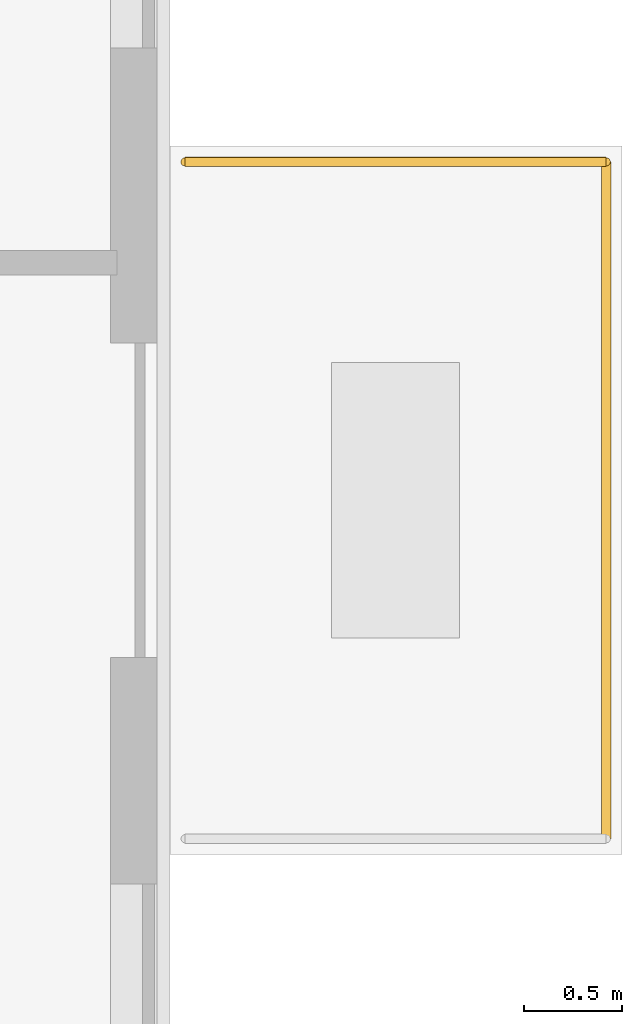
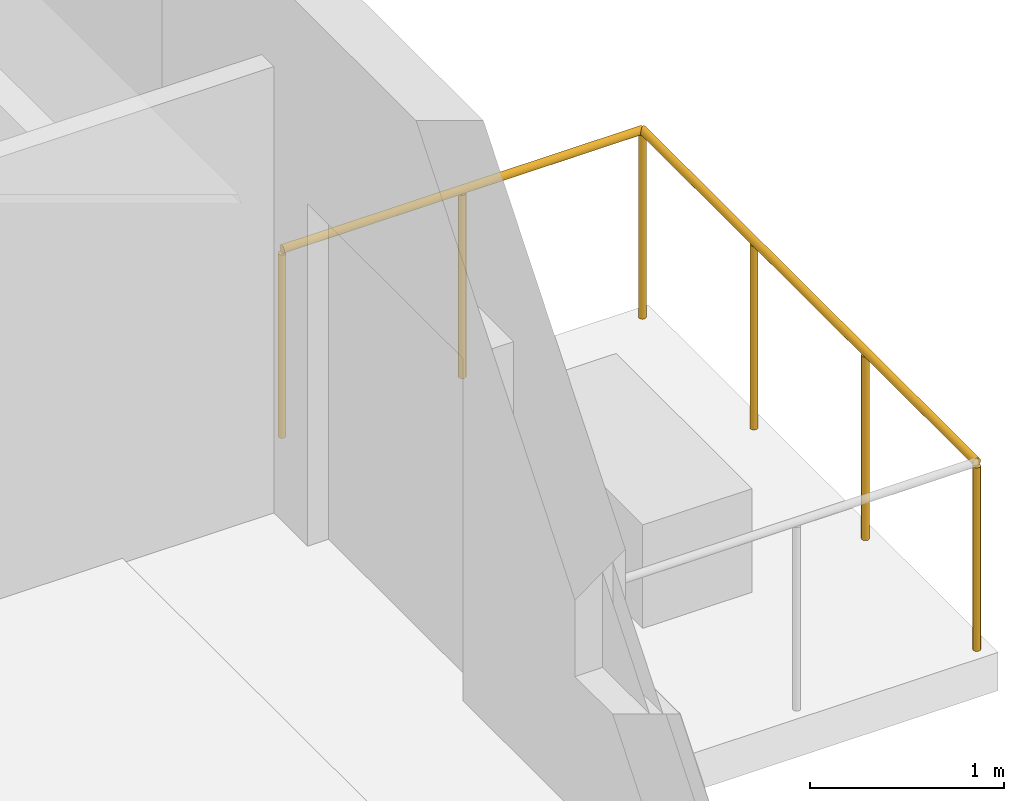
# One storey, part 13 of 13: 2 railings.
"""IFC4 building model written with IfcOpenShell, lengths in metres."""

import ifcopenshell
import ifcopenshell.guid

model = None  # the IFC model being written
_history = None  # IfcOwnerHistory: only IFC2X3 demands one
_inside = {}  # id of a spatial element -> (the spatial element, [elements in it])
_under = {}  # id of a project, library or spatial element -> (it, [spatial elements below it])
_declared = {}  # id of a project -> (the project, [libraries it declares])
_typed = {}  # id of a type object -> (the type object, [elements of that type])
_made_of = {}  # id of a material, layer set ... -> (it, [elements and type objects made of it])


def new_model(schema):
    """Start an empty IFC model of exactly this schema.

    Asked for "IFC4X3", IfcOpenShell would pick the latest addendum, in which some entities
    have other attributes; the version numbers below select the first issue.
    IFC2X3 requires an IfcOwnerHistory on every rooted entity: one is made here for all.
    """
    global model, _history
    if schema == "IFC4X3":
        model = ifcopenshell.file(schema_version=(4, 3, 0, 0))
    else:
        model = ifcopenshell.file(schema=schema)
    _inside.clear()
    _under.clear()
    _declared.clear()
    _typed.clear()
    _made_of.clear()
    _history = None
    if model.schema == "IFC2X3":
        org = make("IfcOrganization", Name="unknown")
        user = make(
            "IfcPersonAndOrganization",
            ThePerson=make("IfcPerson", FamilyName="unknown"),
            TheOrganization=org,
        )
        app = make(
            "IfcApplication",
            ApplicationDeveloper=org,
            Version="unknown",
            ApplicationFullName="unknown",
            ApplicationIdentifier="unknown",
        )
        _history = make(
            "IfcOwnerHistory",
            OwningUser=user,
            OwningApplication=app,
            ChangeAction="ADDED",
            CreationDate=0,
        )
    return model


def make(cls, **values):
    """One entity of the class cls with the attributes given. An attribute that is None is left unset."""
    return model.create_entity(
        cls, **{name: value for name, value in values.items() if value is not None}
    )


def rooted(cls, **values):
    """An entity with a GlobalId (a new one), such as an element, a storey or a relation."""
    return make(cls, GlobalId=ifcopenshell.guid.new(), OwnerHistory=_history, **values)


def si_unit(unit_type, name, prefix=None):
    """IfcSIUnit, for example si_unit("LENGTHUNIT", "METRE", prefix="MILLI")."""
    return make("IfcSIUnit", UnitType=unit_type, Prefix=prefix, Name=name)


def assignment(units):
    """IfcUnitAssignment: the units of a project."""
    return None if units is None else make("IfcUnitAssignment", Units=units)


def point(xyz):
    """IfcCartesianPoint."""
    return None if xyz is None else make("IfcCartesianPoint", Coordinates=xyz)


def direction(xyz):
    """IfcDirection."""
    return None if xyz is None else make("IfcDirection", DirectionRatios=xyz)


def frame(location, z_axis=None, x_axis=None):
    """IfcAxis2Placement3D, a coordinate frame: its origin and axes. An axis left out is left unset."""
    return make(
        "IfcAxis2Placement3D",
        Location=point(location),
        Axis=direction(z_axis),
        RefDirection=direction(x_axis),
    )


def frame_2d(location, x_axis=None):
    """IfcAxis2Placement2D, a coordinate frame in the plane: its origin and x axis."""
    return make(
        "IfcAxis2Placement2D", Location=point(location), RefDirection=direction(x_axis)
    )


def origin():
    """The frame at (0, 0, 0) with its axes left unset."""
    return frame((0.0, 0.0, 0.0))


def origin_2d():
    """The frame at (0, 0) in the plane with its x axis left unset."""
    return frame_2d((0.0, 0.0))


def place(relative_to, where):
    """IfcLocalPlacement: puts the frame where relative to a parent placement (None: the world)."""
    return make(
        "IfcLocalPlacement", PlacementRelTo=relative_to, RelativePlacement=where
    )


def context(
    kind, dimensions, precision=None, world=None, true_north=None, identifier=None
):
    """IfcGeometricRepresentationContext, for example the 3D "Model" context."""
    return make(
        "IfcGeometricRepresentationContext",
        ContextIdentifier=identifier,
        ContextType=kind,
        CoordinateSpaceDimension=dimensions,
        Precision=precision,
        WorldCoordinateSystem=world,
        TrueNorth=true_north,
    )


def subcontext(parent, identifier, kind, view, scale=None):
    """IfcGeometricRepresentationSubContext, for example "Body" below "Model"."""
    return make(
        "IfcGeometricRepresentationSubContext",
        ContextIdentifier=identifier,
        ContextType=kind,
        ParentContext=parent,
        TargetScale=scale,
        TargetView=view,
    )


def project(units=None, contexts=None):
    """IfcProject with its units and contexts."""
    return rooted(
        "IfcProject",
        Name="project",
        RepresentationContexts=contexts,
        UnitsInContext=assignment(units),
    )


def spatial(cls, under=None, at=None, **own):
    """A site, building, storey or space (cls), placed at a placement, below another one or the project."""
    s = rooted(cls, ObjectPlacement=at, **own)
    if under is not None:
        _under.setdefault(under.id(), (under, []))[1].append(s)
    return s


def profile(cls, at=None, kind="AREA", **sizes):
    """A parametric profile (cls). Its sizes go by their IFC names, for example OverallWidth=200.0."""
    return make(cls, ProfileType=kind, Position=at, **sizes)


def circle(**sizes):
    """IfcCircleProfileDef."""
    return profile("IfcCircleProfileDef", **sizes)


def extrude(swept, where, along, depth):
    """IfcExtrudedAreaSolid: the profile swept, set in the frame where, extruded along a direction by depth."""
    return make(
        "IfcExtrudedAreaSolid",
        SweptArea=swept,
        Position=where,
        ExtrudedDirection=direction(along),
        Depth=depth,
    )


def shape(context_of_items, identifier, shape_type, items):
    """IfcShapeRepresentation: the items that make up one representation, for example the "Body"."""
    return make(
        "IfcShapeRepresentation",
        ContextOfItems=context_of_items,
        RepresentationIdentifier=identifier,
        RepresentationType=shape_type,
        Items=items,
    )


def material(Name=None, Category=None):
    """IfcMaterial."""
    return make("IfcMaterial", Name=Name, Category=Category)


def made_of(thing, what):
    """Note that an element or type object is made of a material, layer set ...; save() writes the relation."""
    if what is not None:
        _made_of.setdefault(what.id(), (what, []))[1].append(thing)
    return thing


def type_object(cls, material=None, **own):
    """A type object (cls), such as IfcWallType, which elements share."""
    return made_of(rooted(cls, **own), material)


def element(
    cls,
    number,
    at=None,
    inside=None,
    cuts=None,
    type_object=None,
    material=None,
    context=None,
    identifier="Body",
    shape_type=None,
    held_by="IfcProductDefinitionShape",
    body=None,
    shapes=None,
    **own,
):
    """One element of the class cls, such as IfcWall. Its Tag is "e" and its number.

    at: its placement. inside: the storey or other place that contains it. cuts: it is an
    opening in that element (IfcRelVoidsElement). A single representation is given by context,
    identifier, shape_type and body (its items); several are given by shapes. held_by: the class
    of the entity that holds the representations. save() writes the other relations.
    """
    e = rooted(cls, Tag="e%d" % number, ObjectPlacement=at, **own)
    if body is not None:
        shapes = [shape(context, identifier, shape_type, body)]
    if shapes is not None:
        e.Representation = make(held_by, Representations=shapes)
    if inside is not None:
        _inside.setdefault(inside.id(), (inside, []))[1].append(e)
    if cuts is not None:
        rooted(
            "IfcRelVoidsElement", RelatingBuildingElement=cuts, RelatedOpeningElement=e
        )
    if type_object is not None:
        _typed.setdefault(type_object.id(), (type_object, []))[1].append(e)
    return made_of(e, material)


def aggregate(whole, parts):
    """IfcRelAggregates: a whole, such as a stair, and the parts it consists of."""
    return rooted("IfcRelAggregates", RelatingObject=whole, RelatedObjects=parts)


def save(model, path):
    """Write the relations noted so far, then the file.

    IfcRelAggregates (storeys below a building ...), IfcRelContainedInSpatialStructure (elements
    in a storey), IfcRelDefinesByType, IfcRelAssociatesMaterial and IfcRelDeclares: one each for
    every whole, place, type object, material and project.
    """
    for whole, parts in _under.values():
        aggregate(whole, parts)
    for where, things in _inside.values():
        rooted(
            "IfcRelContainedInSpatialStructure",
            RelatedElements=things,
            RelatingStructure=where,
        )
    for kind, things in _typed.values():
        rooted("IfcRelDefinesByType", RelatedObjects=things, RelatingType=kind)
    for what, things in _made_of.values():
        rooted("IfcRelAssociatesMaterial", RelatedObjects=things, RelatingMaterial=what)
    for by, libraries in _declared.values():
        rooted("IfcRelDeclares", RelatingContext=by, RelatedDefinitions=libraries)
    model.write(path)


model = new_model("IFC4")

# Units and contexts
model_context = context("Model", 3, precision=1e-05, world=origin(), true_north=direction((0.0, 1.0)))
body_context = subcontext(model_context, "Body", "Model", "MODEL_VIEW")
ifc_project = project(units=[si_unit("LENGTHUNIT", "METRE"), si_unit("AREAUNIT", "SQUARE_METRE"), si_unit("VOLUMEUNIT", "CUBIC_METRE"), si_unit("PLANEANGLEUNIT", "RADIAN"), si_unit("MASSUNIT", "GRAM", prefix="KILO")], contexts=[model_context])

# Site, building, storey
site_placement = place(None, origin())
site = spatial("IfcSite", under=ifc_project, at=site_placement, CompositionType="ELEMENT")
building_placement = place(site_placement, origin())
building = spatial("IfcBuilding", under=site, at=building_placement, Name="Calvemar Wedge Station Tower", CompositionType="ELEMENT")
storey_placement = place(building_placement, frame((0.0, 0.0, 132.199951171875)))
storey = spatial("IfcBuildingStorey", under=building, at=storey_placement, Name="L32", CompositionType="ELEMENT", Elevation=132.199951171875)

# Railings
ifc_material = material(Name="Stainless steel AISI 316L", Category="steel")
railing_type = type_object("IfcRailingType", Name="GRD-TERR-1200", PredefinedType="GUARDRAIL", material=ifc_material)
railing_1_placement = place(storey_placement, frame((55.8798828125, 41.511962890625, 0.0)))
element("IfcRailing", 1, at=railing_1_placement, inside=storey, type_object=railing_type, Name="Storey L32 Spiral Terrace Guard 2", PredefinedType="GUARDRAIL", context=body_context, shape_type="SweptSolid", body=[
    extrude(circle(Radius=0.02392578125, at=origin_2d()), frame((0.0, 0.0, 1.17578125), z_axis=(1.0, 0.0, 0.0), x_axis=(0.0, 1.0, 0.0)), (0.0, 0.0, 1.0), 2.14013671875),
    extrude(circle(Radius=0.02099609375, at=origin_2d()), origin(), (0.0, 0.0, 1.0), 1.15185546875),
    extrude(circle(Radius=0.02099609375, at=origin_2d()), frame((1.070068359375, 0.0, 0.0)), (0.0, 0.0, 1.0), 1.15185546875),
    extrude(circle(Radius=0.02099609375, at=origin_2d()), frame((2.14013671875, 0.0, 0.0)), (0.0, 0.0, 1.0), 1.15185546875),
])
railing_2_placement = place(storey_placement, frame((58.02001953125, 41.511962890625, 0.0)))
element("IfcRailing", 2, at=railing_2_placement, inside=storey, type_object=railing_type, Name="Storey L32 Spiral Terrace Guard 3", PredefinedType="GUARDRAIL", context=body_context, shape_type="SweptSolid", body=[
    extrude(circle(Radius=0.02392578125, at=origin_2d()), frame((0.0, 0.0, 1.17578125), z_axis=(0.0, -1.0, 0.0), x_axis=(1.0, 0.0, 0.0)), (0.0, 0.0, 1.0), 3.43994140625),
    extrude(circle(Radius=0.02099609375, at=origin_2d()), origin(), (0.0, 0.0, 1.0), 1.15185546875),
    extrude(circle(Radius=0.02099609375, at=origin_2d()), frame((0.0, -1.146728515625, 0.0)), (0.0, 0.0, 1.0), 1.15185546875),
    extrude(circle(Radius=0.02099609375, at=origin_2d()), frame((0.0, -2.293212890625, 0.0)), (0.0, 0.0, 1.0), 1.15185546875),
    extrude(circle(Radius=0.02099609375, at=origin_2d()), frame((0.0, -3.43994140625, 0.0)), (0.0, 0.0, 1.0), 1.15185546875),
])

save(model, "model.ifc")
